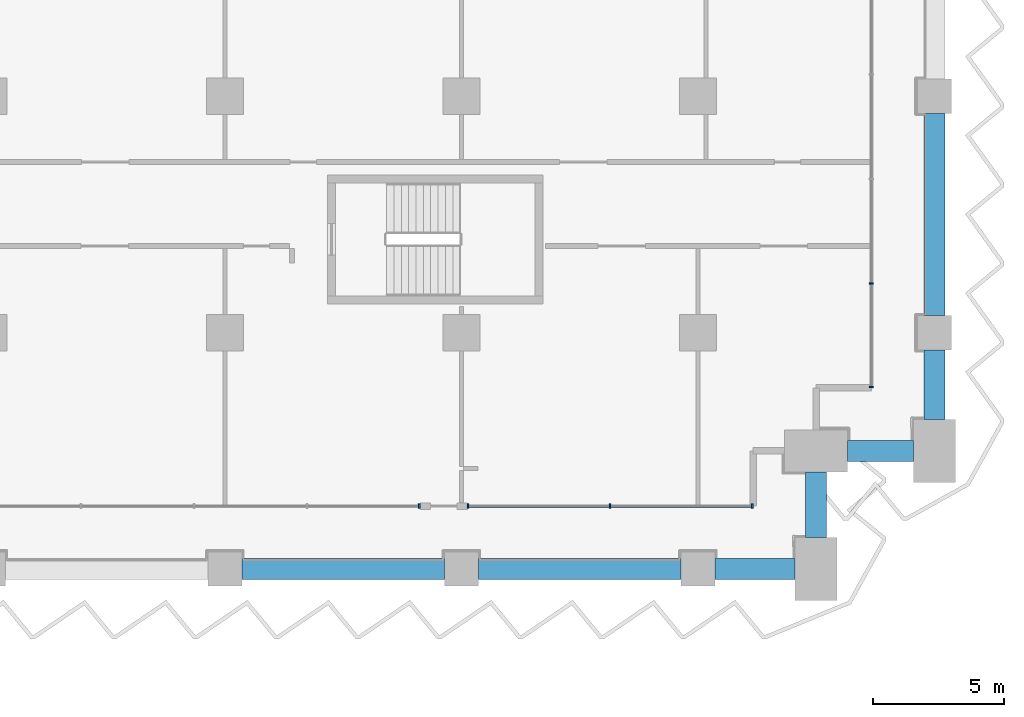
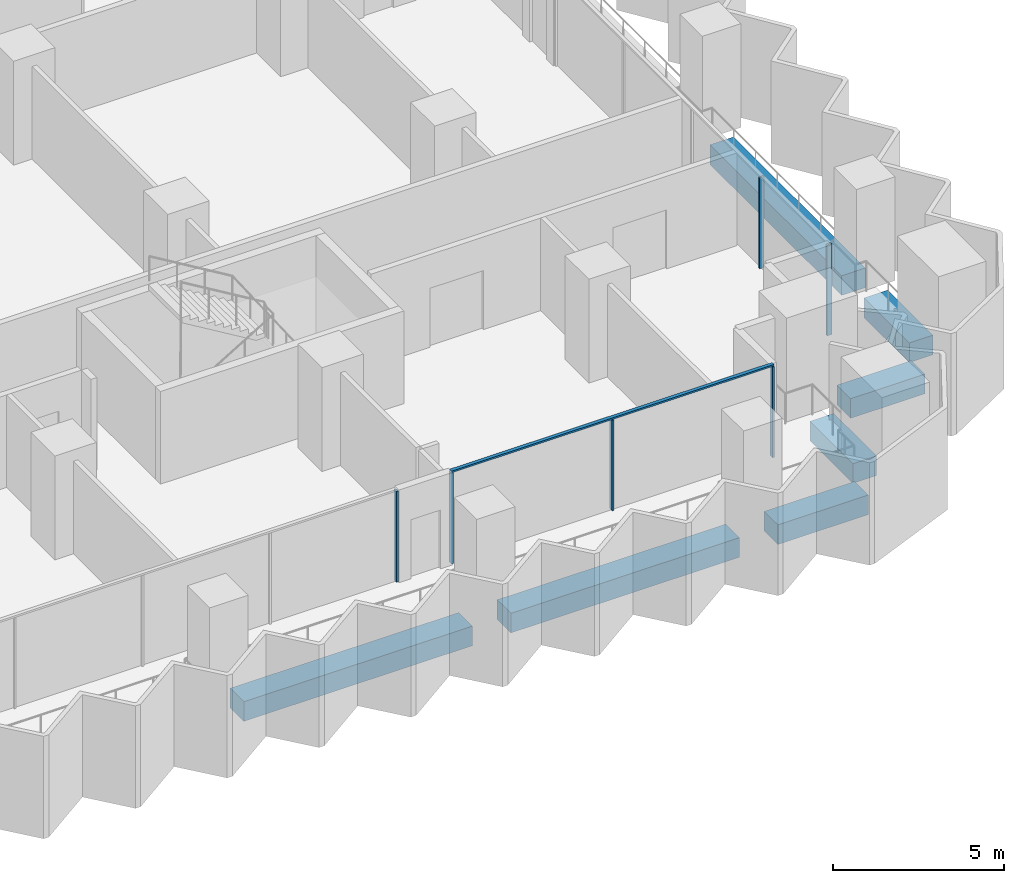
# One storey, part 6 of 28: 7 beams, 7 members, 3 elements without a shape of their own.
"""IFC4 building model written with IfcOpenShell, lengths in metres."""

from ifc_helpers import new_model, si_unit, direction, frame, origin, origin_2d, place, context, subcontext, project, spatial, rectangle, extrude, material, material_profile, profile_set, type_object, element, aggregate, save


model = new_model("IFC4")

# Units and contexts
model_context = context("Model", 3, precision=1e-05, world=origin(), true_north=direction((0.0, 1.0)))
body_context = subcontext(model_context, "Body", "Model", "MODEL_VIEW")
ifc_project = project(units=[si_unit("LENGTHUNIT", "METRE"), si_unit("AREAUNIT", "SQUARE_METRE"), si_unit("VOLUMEUNIT", "CUBIC_METRE"), si_unit("PLANEANGLEUNIT", "RADIAN"), si_unit("MASSUNIT", "GRAM", prefix="KILO")], contexts=[model_context])

# Site, building, storey
site_placement = place(None, origin())
site = spatial("IfcSite", under=ifc_project, at=site_placement, CompositionType="ELEMENT")
building_placement = place(site_placement, origin())
building = spatial("IfcBuilding", under=site, at=building_placement, Name="Hunhe Ridgeline Campus", CompositionType="ELEMENT")
storey_placement = place(building_placement, frame((0.0, 0.0, 58.0)))
storey = spatial("IfcBuildingStorey", under=building, at=storey_placement, Name="L13", CompositionType="ELEMENT", Elevation=58.0)

# Curtain wall, member
ifc_material_1 = material(Name="Aluminium 6063", Category="aluminium")
curtain_wall_type = type_object("IfcCurtainWallType", Name="Curtain wall CW-1", PredefinedType="NOTDEFINED", material=ifc_material_1)
curtain_wall_1_placement = place(storey_placement, origin())
curtain_wall_1 = element("IfcCurtainWall", 1, at=curtain_wall_1_placement, inside=storey, type_object=curtain_wall_type, Name="Curtain wall 13", PredefinedType="NOTDEFINED")
ifc_material_profile_1 = material_profile(ifc_material_1, rectangle(XDim=0.159912109375, YDim=0.06005859375, at=origin_2d()))
ifc_profile_set_1 = profile_set([ifc_material_profile_1], Name="Aluminium 6063")
member_type_1 = type_object("IfcMemberType", Name="CW-1 aluminium mullion", PredefinedType="MULLION", material=ifc_profile_set_1)
member_1_placement = place(storey_placement, frame((79.39404296875, 56.40087890625, 0.0), z_axis=(0.0, 0.0, 1.0), x_axis=(-3.602063e-06, 0.999999999994, 0.0)))
member_1 = element("IfcMember", 2, at=member_1_placement, type_object=member_type_1, Name="CW-1 mullion 9", PredefinedType="MULLION", context=body_context, shape_type="SweptSolid", body=[
    extrude(rectangle(XDim=0.159912109375, YDim=0.06005859375, at=origin_2d()), origin(), (0.0, 0.0, 1.0), 3.239990234375),
])
aggregate(curtain_wall_1, [member_1])

# Curtain wall, members
curtain_wall_2_placement = place(storey_placement, origin())
curtain_wall_2 = element("IfcCurtainWall", 3, at=curtain_wall_2_placement, inside=storey, type_object=curtain_wall_type, Name="Curtain wall 14", PredefinedType="NOTDEFINED")
member_2_placement = place(storey_placement, frame((81.254150390625, 56.40087890625, 0.0), z_axis=(0.0, 0.0, 1.0), x_axis=(-3.58625e-06, 0.999999999994, 0.0)))
member_2 = element("IfcMember", 4, at=member_2_placement, type_object=member_type_1, Name="CW-1 mullion 1", PredefinedType="MULLION", context=body_context, shape_type="SweptSolid", body=[
    extrude(rectangle(XDim=0.159912109375, YDim=0.06005859375, at=origin_2d()), origin(), (0.0, 0.0, 1.0), 3.239990234375),
])
member_3_placement = place(storey_placement, frame((86.66162109375, 56.40087890625, 0.0), z_axis=(0.0, 0.0, 1.0), x_axis=(-3.58625e-06, 0.999999999994, 0.0)))
member_3 = element("IfcMember", 5, at=member_3_placement, type_object=member_type_1, Name="CW-1 mullion 2", PredefinedType="MULLION", context=body_context, shape_type="SweptSolid", body=[
    extrude(rectangle(XDim=0.159912109375, YDim=0.06005859375, at=origin_2d()), origin(), (0.0, 0.0, 1.0), 3.239990234375),
])
member_4_placement = place(storey_placement, frame((92.069091796875, 56.40087890625, 0.0), z_axis=(0.0, 0.0, 1.0), x_axis=(-3.58625e-06, 0.999999999994, 0.0)))
member_4 = element("IfcMember", 6, at=member_4_placement, type_object=member_type_1, Name="CW-1 mullion 3", PredefinedType="MULLION", context=body_context, shape_type="SweptSolid", body=[
    extrude(rectangle(XDim=0.159912109375, YDim=0.06005859375, at=origin_2d()), origin(), (0.0, 0.0, 1.0), 3.239990234375),
])

curtain_wall_3_placement = place(storey_placement, origin())
curtain_wall_3 = element("IfcCurtainWall", 7, at=curtain_wall_3_placement, inside=storey, type_object=curtain_wall_type, Name="Curtain wall 15", PredefinedType="NOTDEFINED")
member_5_placement = place(storey_placement, frame((96.59912109375, 60.930908203125, 0.0), z_axis=(0.0, 0.0, 1.0), x_axis=(-1.0, 0.0, 0.0)))
member_5 = element("IfcMember", 8, at=member_5_placement, type_object=member_type_1, Name="CW-1 mullion 1", PredefinedType="MULLION", context=body_context, shape_type="SweptSolid", body=[
    extrude(rectangle(XDim=0.159912109375, YDim=0.06005859375, at=origin_2d()), origin(), (0.0, 0.0, 1.0), 3.239990234375),
])
member_6_placement = place(storey_placement, frame((96.59912109375, 64.8759765625, 0.0), z_axis=(0.0, 0.0, 1.0), x_axis=(-1.0, 0.0, 0.0)))
member_6 = element("IfcMember", 9, at=member_6_placement, type_object=member_type_1, Name="CW-1 mullion 2", PredefinedType="MULLION", context=body_context, shape_type="SweptSolid", body=[
    extrude(rectangle(XDim=0.159912109375, YDim=0.06005859375, at=origin_2d()), origin(), (0.0, 0.0, 1.0), 3.239990234375),
])
aggregate(curtain_wall_3, [member_5, member_6])

# Member
ifc_material_profile_2 = material_profile(ifc_material_1, rectangle(XDim=0.1201171875, YDim=0.06005859375, at=origin_2d()))
ifc_profile_set_2 = profile_set([ifc_material_profile_2], Name="Aluminium 6063")
member_type_2 = type_object("IfcMemberType", Name="CW-1 aluminium transom", PredefinedType="USERDEFINED", material=ifc_profile_set_2)
member_7_placement = place(storey_placement, frame((81.22412109375, 56.40087890625, 3.27001953125), z_axis=(1.0, 0.0, 0.0), x_axis=(0.0, 1.0, 0.0)))
member_7 = element("IfcMember", 10, at=member_7_placement, type_object=member_type_2, Name="CW-1 transom 1", ObjectType="TRANSOM", PredefinedType="USERDEFINED", context=body_context, shape_type="SweptSolid", body=[
    extrude(rectangle(XDim=0.1201171875, YDim=0.06005859375, at=origin_2d()), origin(), (0.0, 0.0, 1.0), 10.875),
])

aggregate(curtain_wall_2, [member_7, member_2, member_3, member_4])

# Beams
ifc_material_2 = material(Name="Concrete C60", Category="concrete")
ifc_material_profile_3 = material_profile(ifc_material_2, rectangle(XDim=0.800048828125, YDim=0.699951171875, at=origin_2d()))
ifc_profile_set_3 = profile_set([ifc_material_profile_3], Name="Concrete C60")
beam_type = type_object("IfcBeamType", Name="RC spandrel beam 800x700 Concrete C60", PredefinedType="SPANDREL", material=ifc_profile_set_3)
for number, where, z_axis, x_axis, name in (
    (11, (72.64990234375, 54.0, -0.60009765625), (1.0, 0.0, 0.0), (0.0, 1.0, 0.0), "Spandrel beam B1-15 L13"),
    (12, (81.64990234375, 54.0, -0.60009765625), (1.0, 0.0, 0.0), (0.0, 1.0, 0.0), "Spandrel beam B1-16 L13"),
):
    element("IfcBeam", number, at=place(storey_placement, frame(where, z_axis=z_axis, x_axis=x_axis)), inside=storey, type_object=beam_type, Name=name, PredefinedType="SPANDREL", context=body_context, shape_type="SweptSolid", body=[
        extrude(rectangle(XDim=0.800048828125, YDim=0.699951171875, at=origin_2d()), origin(), (0.0, 0.0, 1.0), 7.7001953125),
    ])
beam_1_placement = place(storey_placement, frame((90.64990234375, 54.0, -0.60009765625), z_axis=(1.0, 0.0, 0.0), x_axis=(0.0, 1.0, 0.0)))
element("IfcBeam", 13, at=beam_1_placement, inside=storey, type_object=beam_type, Name="Spandrel beam B1-17 L13", PredefinedType="SPANDREL", context=body_context, shape_type="SweptSolid", body=[
    extrude(rectangle(XDim=0.800048828125, YDim=0.699951171875, at=origin_2d()), origin(), (0.0, 0.0, 1.0), 3.050048828125),
])
for number, where, z_axis, x_axis, name in (
    (14, (94.5, 55.199951171875, -0.60009765625), (0.0, 1.0, 0.0), (-1.0, 0.0, 0.0), "Spandrel beam B1-18 L13"),
    (15, (95.699951171875, 58.5, -0.60009765625), (1.0, 0.0, 0.0), (0.0, 1.0, 0.0), "Spandrel beam B1-19 L13"),
):
    element("IfcBeam", number, at=place(storey_placement, frame(where, z_axis=z_axis, x_axis=x_axis)), inside=storey, type_object=beam_type, Name=name, PredefinedType="SPANDREL", context=body_context, shape_type="SweptSolid", body=[
        extrude(rectangle(XDim=0.800048828125, YDim=0.699951171875, at=origin_2d()), origin(), (0.0, 0.0, 1.0), 2.5),
    ])
beam_2_placement = place(storey_placement, frame((99.0, 59.699951171875, -0.60009765625), z_axis=(0.0, 1.0, 0.0), x_axis=(-1.0, 0.0, 0.0)))
element("IfcBeam", 16, at=beam_2_placement, inside=storey, type_object=beam_type, Name="Spandrel beam B1-20 L13", PredefinedType="SPANDREL", context=body_context, shape_type="SweptSolid", body=[
    extrude(rectangle(XDim=0.800048828125, YDim=0.699951171875, at=origin_2d()), origin(), (0.0, 0.0, 1.0), 2.650146484375),
])
beam_3_placement = place(storey_placement, frame((99.0, 63.64990234375, -0.60009765625), z_axis=(0.0, 1.0, 0.0), x_axis=(-1.0, 0.0, 0.0)))
element("IfcBeam", 17, at=beam_3_placement, inside=storey, type_object=beam_type, Name="Spandrel beam B1-21 L13", PredefinedType="SPANDREL", context=body_context, shape_type="SweptSolid", body=[
    extrude(rectangle(XDim=0.800048828125, YDim=0.699951171875, at=origin_2d()), origin(), (0.0, 0.0, 1.0), 7.7001953125),
])

save(model, "model.ifc")
